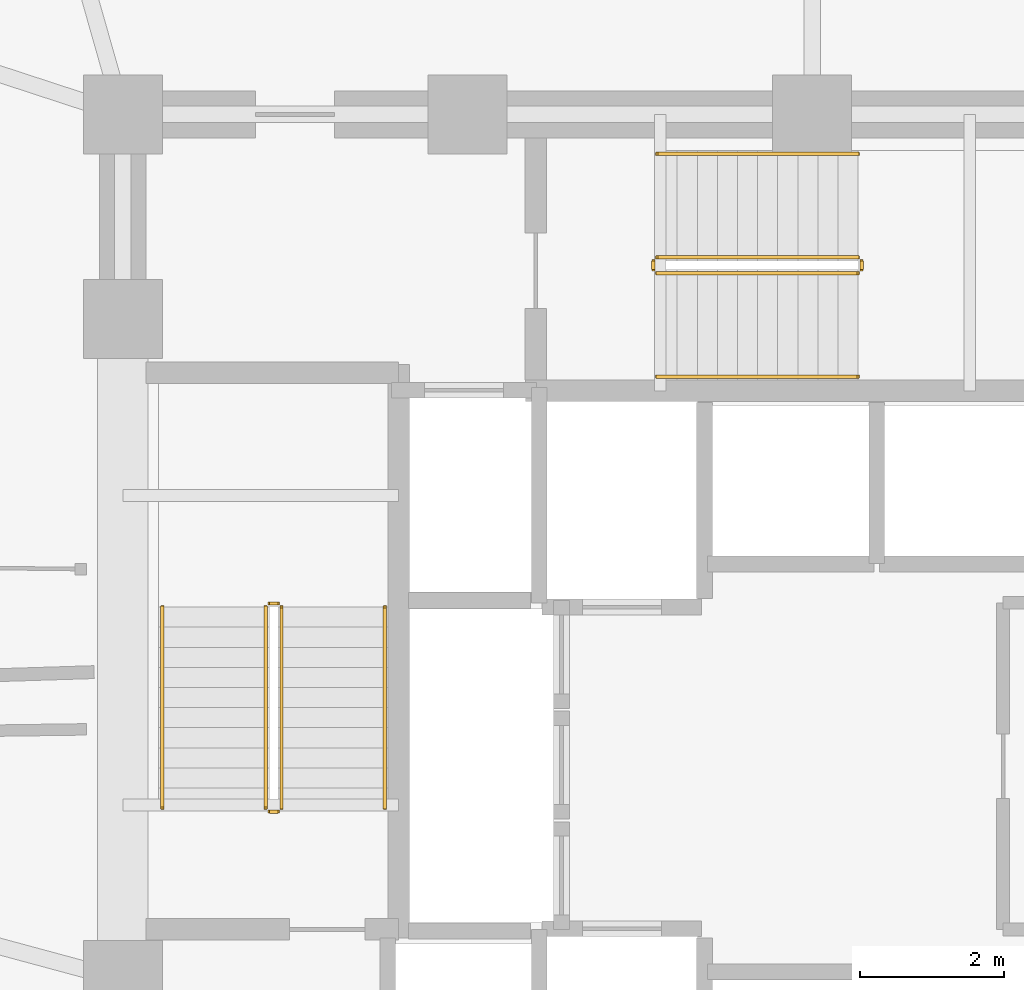
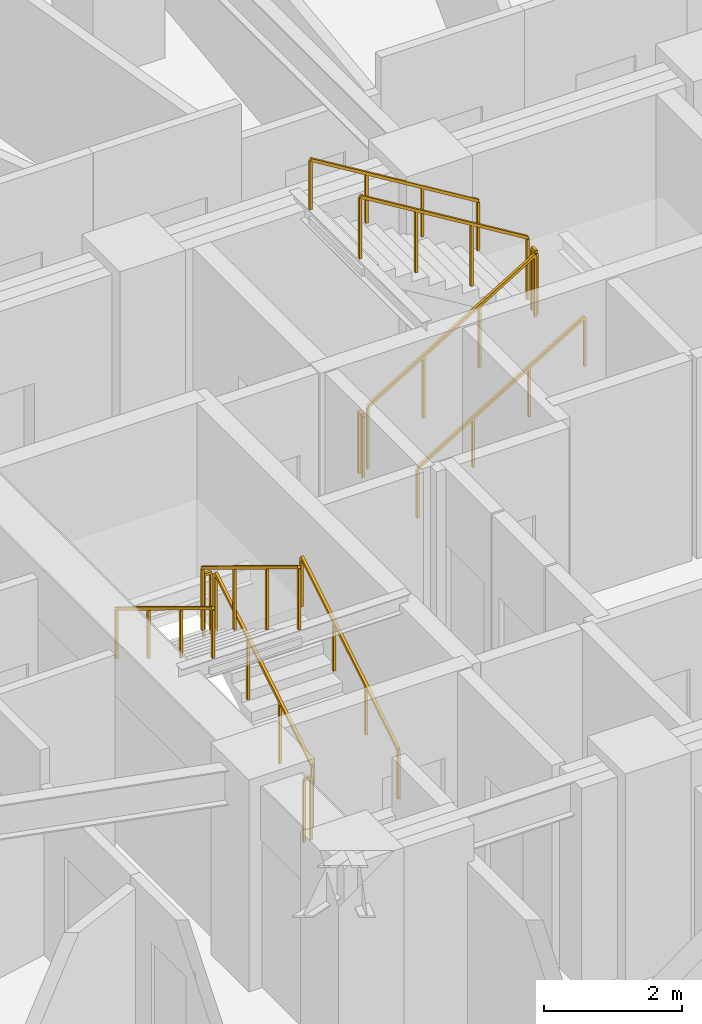
# One storey, part 30 of 32: 12 railings.
"""IFC4 building model written with IfcOpenShell, lengths in metres."""

from ifc_helpers import new_model, si_unit, direction, frame, origin, origin_2d, place, context, subcontext, project, spatial, rectangle, extrude, material, type_object, element, save


model = new_model("IFC4")

# Units and contexts
model_context = context("Model", 3, precision=1e-05, world=origin(), true_north=direction((0.0, 1.0)))
body_context = subcontext(model_context, "Body", "Model", "MODEL_VIEW")
ifc_project = project(units=[si_unit("LENGTHUNIT", "METRE"), si_unit("AREAUNIT", "SQUARE_METRE"), si_unit("VOLUMEUNIT", "CUBIC_METRE"), si_unit("PLANEANGLEUNIT", "RADIAN"), si_unit("MASSUNIT", "GRAM", prefix="KILO")], contexts=[model_context])

# Site, building, storey
site_placement = place(None, origin())
site = spatial("IfcSite", under=ifc_project, at=site_placement, CompositionType="ELEMENT")
building_placement = place(site_placement, origin())
building = spatial("IfcBuilding", under=site, at=building_placement, Name="Vantalir Tower", CompositionType="ELEMENT")
storey_placement = place(building_placement, frame((0.0, 0.0, 45.75)))
storey = spatial("IfcBuildingStorey", under=building, at=storey_placement, Name="L10", CompositionType="ELEMENT", Elevation=45.75)

# Railings
ifc_material_1 = material(Name="Anodised aluminium and stainless steel guard", Category="steel")
railing_type_1 = type_object("IfcRailingType", Name="RAL-GUARD-1120", PredefinedType="GUARDRAIL", material=ifc_material_1)
railing_1_placement = place(storey_placement, frame((24.110107421875, 22.7900390625, 0.17041015625)))
element("IfcRailing", 1, at=railing_1_placement, inside=storey, type_object=railing_type_1, Name="L10 ST1 stair guard 1", PredefinedType="GUARDRAIL", context=body_context, shape_type="SweptSolid", body=[
    extrude(rectangle(XDim=0.048095703125, YDim=0.048095703125, at=origin_2d()), frame((0.0, 0.0, 1.09619140625), z_axis=(0.0, 0.854169791009, 0.51999420009), x_axis=(-1.0, 0.0, 0.0)), (0.0, 0.0, 1.0), 3.278076171875),
    extrude(rectangle(XDim=0.0419921875, YDim=0.0419921875, at=origin_2d()), origin(), (0.0, 0.0, 1.0), 1.072021484375),
    extrude(rectangle(XDim=0.0419921875, YDim=0.0419921875, at=origin_2d()), frame((0.0, 0.933349609375, 0.568115234375)), (0.0, 0.0, 1.0), 1.072021484375),
    extrude(rectangle(XDim=0.0419921875, YDim=0.0419921875, at=origin_2d()), frame((0.0, 1.86669921875, 1.136474609375)), (0.0, 0.0, 1.0), 1.072021484375),
    extrude(rectangle(XDim=0.0419921875, YDim=0.0419921875, at=origin_2d()), frame((0.0, 2.800048828125, 1.70458984375)), (0.0, 0.0, 1.0), 1.072021484375),
])
railing_2_placement = place(storey_placement, frame((24.06005859375, 25.639892578125, 1.875)))
element("IfcRailing", 2, at=railing_2_placement, inside=storey, type_object=railing_type_1, Name="L10 ST1 stair guard 2", PredefinedType="GUARDRAIL", context=body_context, shape_type="SweptSolid", body=[
    extrude(rectangle(XDim=0.048095703125, YDim=0.048095703125, at=origin_2d()), frame((0.0, 0.0, 1.09619140625), z_axis=(-1.0, 0.0, 0.0), x_axis=(0.0, -1.0, 0.0)), (0.0, 0.0, 1.0), 0.1201171875),
    extrude(rectangle(XDim=0.0419921875, YDim=0.0419921875, at=origin_2d()), origin(), (0.0, 0.0, 1.0), 1.072021484375),
    extrude(rectangle(XDim=0.0419921875, YDim=0.0419921875, at=origin_2d()), frame((-0.1201171875, 0.0, 0.0)), (0.0, 0.0, 1.0), 1.072021484375),
])
railing_3_placement = place(storey_placement, frame((23.889892578125, 25.590087890625, 2.04541015625)))
element("IfcRailing", 3, at=railing_3_placement, inside=storey, type_object=railing_type_1, Name="L10 ST1 stair guard 3", PredefinedType="GUARDRAIL", context=body_context, shape_type="SweptSolid", body=[
    extrude(rectangle(XDim=0.048095703125, YDim=0.048095703125, at=origin_2d()), frame((0.0, 0.0, 1.09619140625), z_axis=(0.0, -0.854169791009, 0.51999420009), x_axis=(1.0, 0.0, 0.0)), (0.0, 0.0, 1.0), 3.278076171875),
    extrude(rectangle(XDim=0.0419921875, YDim=0.0419921875, at=origin_2d()), origin(), (0.0, 0.0, 1.0), 1.072021484375),
    extrude(rectangle(XDim=0.0419921875, YDim=0.0419921875, at=origin_2d()), frame((0.0, -0.933349609375, 0.568115234375)), (0.0, 0.0, 1.0), 1.072021484375),
    extrude(rectangle(XDim=0.0419921875, YDim=0.0419921875, at=origin_2d()), frame((0.0, -1.86669921875, 1.136474609375)), (0.0, 0.0, 1.0), 1.072021484375),
    extrude(rectangle(XDim=0.0419921875, YDim=0.0419921875, at=origin_2d()), frame((0.0, -2.800048828125, 1.70458984375)), (0.0, 0.0, 1.0), 1.072021484375),
])
railing_4_placement = place(storey_placement, frame((24.06005859375, 22.739990234375, 0.0)))
element("IfcRailing", 4, at=railing_4_placement, inside=storey, type_object=railing_type_1, Name="L10 ST1 stair guard 4", PredefinedType="GUARDRAIL", context=body_context, shape_type="SweptSolid", body=[
    extrude(rectangle(XDim=0.048095703125, YDim=0.048095703125, at=origin_2d()), frame((0.0, 0.0, 1.09619140625), z_axis=(-1.0, 0.0, 0.0), x_axis=(0.0, -1.0, 0.0)), (0.0, 0.0, 1.0), 0.1201171875),
    extrude(rectangle(XDim=0.0419921875, YDim=0.0419921875, at=origin_2d()), origin(), (0.0, 0.0, 1.0), 1.072021484375),
    extrude(rectangle(XDim=0.0419921875, YDim=0.0419921875, at=origin_2d()), frame((-0.1201171875, 0.0, 0.0)), (0.0, 0.0, 1.0), 1.072021484375),
])
railing_5_placement = place(storey_placement, frame((29.340087890625, 30.239990234375, 0.17041015625)))
element("IfcRailing", 5, at=railing_5_placement, inside=storey, type_object=railing_type_1, Name="L10 ST3 stair guard 1", PredefinedType="GUARDRAIL", context=body_context, shape_type="SweptSolid", body=[
    extrude(rectangle(XDim=0.048095703125, YDim=0.048095703125, at=origin_2d()), frame((0.0, 0.0, 1.09619140625), z_axis=(0.854149651119, 0.0, 0.520027281489), x_axis=(0.0, 1.0, 0.0)), (0.0, 0.0, 1.0), 3.27783203125),
    extrude(rectangle(XDim=0.0419921875, YDim=0.0419921875, at=origin_2d()), origin(), (0.0, 0.0, 1.0), 1.072021484375),
    extrude(rectangle(XDim=0.0419921875, YDim=0.0419921875, at=origin_2d()), frame((0.933349609375, 0.0, 0.568115234375)), (0.0, 0.0, 1.0), 1.072021484375),
    extrude(rectangle(XDim=0.0419921875, YDim=0.0419921875, at=origin_2d()), frame((1.866455078125, 0.0, 1.136474609375)), (0.0, 0.0, 1.0), 1.072021484375),
    extrude(rectangle(XDim=0.0419921875, YDim=0.0419921875, at=origin_2d()), frame((2.7998046875, 0.0, 1.70458984375)), (0.0, 0.0, 1.0), 1.072021484375),
])
railing_6_placement = place(storey_placement, frame((32.18994140625, 30.2900390625, 1.875)))
element("IfcRailing", 6, at=railing_6_placement, inside=storey, type_object=railing_type_1, Name="L10 ST3 stair guard 2", PredefinedType="GUARDRAIL", context=body_context, shape_type="SweptSolid", body=[
    extrude(rectangle(XDim=0.048095703125, YDim=0.048095703125, at=origin_2d()), frame((0.0, 0.0, 1.09619140625), z_axis=(0.0, 1.0, 0.0), x_axis=(-1.0, 0.0, 0.0)), (0.0, 0.0, 1.0), 0.119873046875),
    extrude(rectangle(XDim=0.0419921875, YDim=0.0419921875, at=origin_2d()), origin(), (0.0, 0.0, 1.0), 1.072021484375),
    extrude(rectangle(XDim=0.0419921875, YDim=0.0419921875, at=origin_2d()), frame((0.0, 0.119873046875, 0.0)), (0.0, 0.0, 1.0), 1.072021484375),
])
railing_7_placement = place(storey_placement, frame((32.139892578125, 30.4599609375, 2.04541015625)))
element("IfcRailing", 7, at=railing_7_placement, inside=storey, type_object=railing_type_1, Name="L10 ST3 stair guard 3", PredefinedType="GUARDRAIL", context=body_context, shape_type="SweptSolid", body=[
    extrude(rectangle(XDim=0.048095703125, YDim=0.048095703125, at=origin_2d()), frame((0.0, 0.0, 1.09619140625), z_axis=(-0.854149651119, 0.0, 0.520027281489), x_axis=(0.0, -1.0, 0.0)), (0.0, 0.0, 1.0), 3.27783203125),
    extrude(rectangle(XDim=0.0419921875, YDim=0.0419921875, at=origin_2d()), origin(), (0.0, 0.0, 1.0), 1.072021484375),
    extrude(rectangle(XDim=0.0419921875, YDim=0.0419921875, at=origin_2d()), frame((-0.933349609375, 0.0, 0.568115234375)), (0.0, 0.0, 1.0), 1.072021484375),
    extrude(rectangle(XDim=0.0419921875, YDim=0.0419921875, at=origin_2d()), frame((-1.866455078125, 0.0, 1.136474609375)), (0.0, 0.0, 1.0), 1.072021484375),
    extrude(rectangle(XDim=0.0419921875, YDim=0.0419921875, at=origin_2d()), frame((-2.7998046875, 0.0, 1.70458984375)), (0.0, 0.0, 1.0), 1.072021484375),
])
railing_8_placement = place(storey_placement, frame((29.2900390625, 30.2900390625, 0.0)))
element("IfcRailing", 8, at=railing_8_placement, inside=storey, type_object=railing_type_1, Name="L10 ST3 stair guard 4", PredefinedType="GUARDRAIL", context=body_context, shape_type="SweptSolid", body=[
    extrude(rectangle(XDim=0.048095703125, YDim=0.048095703125, at=origin_2d()), frame((0.0, 0.0, 1.09619140625), z_axis=(0.0, 1.0, 0.0), x_axis=(-1.0, 0.0, 0.0)), (0.0, 0.0, 1.0), 0.119873046875),
    extrude(rectangle(XDim=0.0419921875, YDim=0.0419921875, at=origin_2d()), origin(), (0.0, 0.0, 1.0), 1.072021484375),
    extrude(rectangle(XDim=0.0419921875, YDim=0.0419921875, at=origin_2d()), frame((0.0, 0.119873046875, 0.0)), (0.0, 0.0, 1.0), 1.072021484375),
])
ifc_material_2 = material(Name="Brushed stainless steel tubular handrail", Category="steel")
railing_type_2 = type_object("IfcRailingType", Name="RAL-HANDRAIL-900", PredefinedType="HANDRAIL", material=ifc_material_2)
railing_9_placement = place(storey_placement, frame((25.550048828125, 22.7900390625, 0.17041015625)))
element("IfcRailing", 9, at=railing_9_placement, inside=storey, type_object=railing_type_2, Name="L10 ST1 stair handrail 1", PredefinedType="HANDRAIL", context=body_context, shape_type="SweptSolid", body=[
    extrude(rectangle(XDim=0.048095703125, YDim=0.048095703125, at=origin_2d()), frame((0.0, 0.0, 0.8759765625), z_axis=(0.0, 0.854169791009, 0.51999420009), x_axis=(-1.0, 0.0, 0.0)), (0.0, 0.0, 1.0), 3.278076171875),
    extrude(rectangle(XDim=0.0419921875, YDim=0.0419921875, at=origin_2d()), origin(), (0.0, 0.0, 1.0), 0.851806640625),
    extrude(rectangle(XDim=0.0419921875, YDim=0.0419921875, at=origin_2d()), frame((0.0, 0.933349609375, 0.568115234375)), (0.0, 0.0, 1.0), 0.851806640625),
    extrude(rectangle(XDim=0.0419921875, YDim=0.0419921875, at=origin_2d()), frame((0.0, 1.86669921875, 1.136474609375)), (0.0, 0.0, 1.0), 0.851806640625),
    extrude(rectangle(XDim=0.0419921875, YDim=0.0419921875, at=origin_2d()), frame((0.0, 2.800048828125, 1.70458984375)), (0.0, 0.0, 1.0), 0.851806640625),
])
railing_10_placement = place(storey_placement, frame((22.449951171875, 25.590087890625, 2.04541015625)))
element("IfcRailing", 10, at=railing_10_placement, inside=storey, type_object=railing_type_2, Name="L10 ST1 stair handrail 2", PredefinedType="HANDRAIL", context=body_context, shape_type="SweptSolid", body=[
    extrude(rectangle(XDim=0.048095703125, YDim=0.048095703125, at=origin_2d()), frame((0.0, 0.0, 0.8759765625), z_axis=(0.0, -0.854169791009, 0.51999420009), x_axis=(1.0, 0.0, 0.0)), (0.0, 0.0, 1.0), 3.278076171875),
    extrude(rectangle(XDim=0.0419921875, YDim=0.0419921875, at=origin_2d()), origin(), (0.0, 0.0, 1.0), 0.851806640625),
    extrude(rectangle(XDim=0.0419921875, YDim=0.0419921875, at=origin_2d()), frame((0.0, -0.933349609375, 0.568115234375)), (0.0, 0.0, 1.0), 0.851806640625),
    extrude(rectangle(XDim=0.0419921875, YDim=0.0419921875, at=origin_2d()), frame((0.0, -1.86669921875, 1.136474609375)), (0.0, 0.0, 1.0), 0.851806640625),
    extrude(rectangle(XDim=0.0419921875, YDim=0.0419921875, at=origin_2d()), frame((0.0, -2.800048828125, 1.70458984375)), (0.0, 0.0, 1.0), 0.851806640625),
])
railing_11_placement = place(storey_placement, frame((29.340087890625, 28.800048828125, 0.17041015625)))
element("IfcRailing", 11, at=railing_11_placement, inside=storey, type_object=railing_type_2, Name="L10 ST3 stair handrail 1", PredefinedType="HANDRAIL", context=body_context, shape_type="SweptSolid", body=[
    extrude(rectangle(XDim=0.048095703125, YDim=0.048095703125, at=origin_2d()), frame((0.0, 0.0, 0.8759765625), z_axis=(0.854149651119, 0.0, 0.520027281489), x_axis=(0.0, 1.0, 0.0)), (0.0, 0.0, 1.0), 3.27783203125),
    extrude(rectangle(XDim=0.0419921875, YDim=0.0419921875, at=origin_2d()), origin(), (0.0, 0.0, 1.0), 0.851806640625),
    extrude(rectangle(XDim=0.0419921875, YDim=0.0419921875, at=origin_2d()), frame((0.933349609375, 0.0, 0.568115234375)), (0.0, 0.0, 1.0), 0.851806640625),
    extrude(rectangle(XDim=0.0419921875, YDim=0.0419921875, at=origin_2d()), frame((1.866455078125, 0.0, 1.136474609375)), (0.0, 0.0, 1.0), 0.851806640625),
    extrude(rectangle(XDim=0.0419921875, YDim=0.0419921875, at=origin_2d()), frame((2.7998046875, 0.0, 1.70458984375)), (0.0, 0.0, 1.0), 0.851806640625),
])
railing_12_placement = place(storey_placement, frame((32.139892578125, 31.89990234375, 2.04541015625)))
element("IfcRailing", 12, at=railing_12_placement, inside=storey, type_object=railing_type_2, Name="L10 ST3 stair handrail 2", PredefinedType="HANDRAIL", context=body_context, shape_type="SweptSolid", body=[
    extrude(rectangle(XDim=0.048095703125, YDim=0.048095703125, at=origin_2d()), frame((0.0, 0.0, 0.8759765625), z_axis=(-0.854149651119, 0.0, 0.520027281489), x_axis=(0.0, -1.0, 0.0)), (0.0, 0.0, 1.0), 3.27783203125),
    extrude(rectangle(XDim=0.0419921875, YDim=0.0419921875, at=origin_2d()), origin(), (0.0, 0.0, 1.0), 0.851806640625),
    extrude(rectangle(XDim=0.0419921875, YDim=0.0419921875, at=origin_2d()), frame((-0.933349609375, 0.0, 0.568115234375)), (0.0, 0.0, 1.0), 0.851806640625),
    extrude(rectangle(XDim=0.0419921875, YDim=0.0419921875, at=origin_2d()), frame((-1.866455078125, 0.0, 1.136474609375)), (0.0, 0.0, 1.0), 0.851806640625),
    extrude(rectangle(XDim=0.0419921875, YDim=0.0419921875, at=origin_2d()), frame((-2.7998046875, 0.0, 1.70458984375)), (0.0, 0.0, 1.0), 0.851806640625),
])

save(model, "model.ifc")
